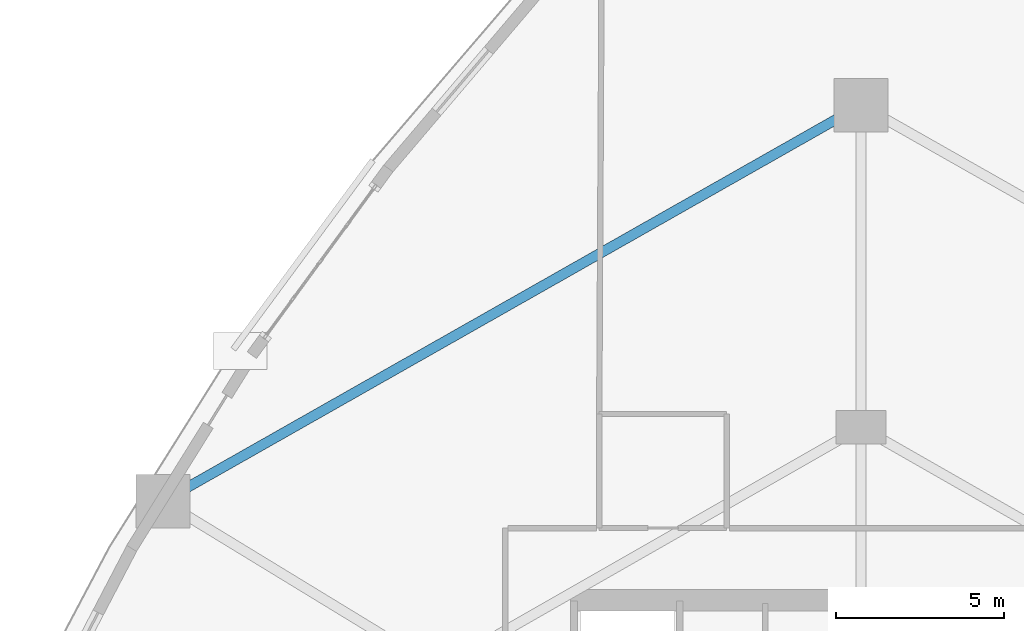
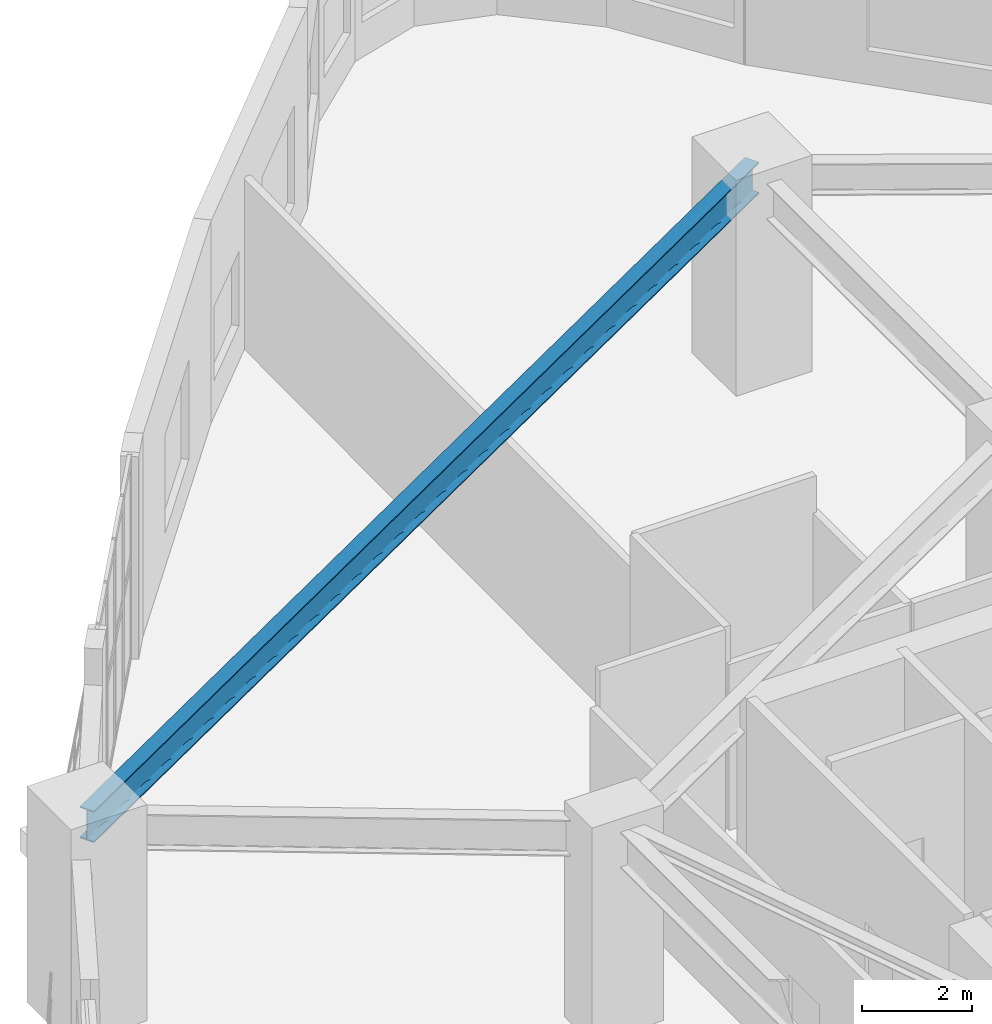
# One storey, part 9 of 23: 1 beam.
"""IFC4 building model written with IfcOpenShell, lengths in metres."""

from ifc_helpers import new_model, si_unit, direction, frame, origin, origin_2d, place, context, subcontext, project, spatial, i_section, extrude, material, material_profile, profile_set, type_object, element, save


model = new_model("IFC4")

# Units and contexts
model_context = context("Model", 3, precision=1e-05, world=origin(), true_north=direction((0.0, 1.0)))
body_context = subcontext(model_context, "Body", "Model", "MODEL_VIEW")
ifc_project = project(units=[si_unit("LENGTHUNIT", "METRE"), si_unit("AREAUNIT", "SQUARE_METRE"), si_unit("VOLUMEUNIT", "CUBIC_METRE"), si_unit("PLANEANGLEUNIT", "RADIAN"), si_unit("MASSUNIT", "GRAM", prefix="KILO")], contexts=[model_context])

# Site, building, storey
site_placement = place(None, origin())
site = spatial("IfcSite", under=ifc_project, at=site_placement, CompositionType="ELEMENT")
building_placement = place(site_placement, origin())
building = spatial("IfcBuilding", under=site, at=building_placement, Name="Miruveldt Soraemaru", CompositionType="ELEMENT")
storey_placement = place(building_placement, frame((0.0, 0.0, 14.39990234375)))
storey = spatial("IfcBuildingStorey", under=building, at=storey_placement, Name="L04", CompositionType="ELEMENT", Elevation=14.39990234375)

# Beam
ifc_material = material(Name="Steel SM355 (355 MPa)", Category="steel")
ifc_material_profile = material_profile(ifc_material, i_section(OverallWidth=0.300048828125, OverallDepth=0.699951171875, WebThickness=0.012939453125, FlangeThickness=0.02392578125, FilletRadius=0.028076171875, at=origin_2d()), Name="Steel SM355 (355 MPa)", Category="steel")
ifc_profile_set = profile_set([ifc_material_profile], Name="Steel SM355 (355 MPa)")
beam_type = type_object("IfcBeamType", Name="BM-ST-H700", PredefinedType="BEAM", material=ifc_profile_set)
beam_placement = place(storey_placement, frame((23.199951171875, 55.39990234375, 4.150146484375), z_axis=(0.869782551993, 0.493435215858, 0.0), x_axis=(-0.493435215858, 0.869782551993, 0.0)))
element("IfcBeam", 1, at=beam_placement, inside=storey, type_object=beam_type, Name="L04 Podium Ring Girder 6", PredefinedType="BEAM", context=body_context, shape_type="SweptSolid", body=[
    extrude(i_section(OverallWidth=0.300048828125, OverallDepth=0.699951171875, WebThickness=0.012939453125, FlangeThickness=0.02392578125, FilletRadius=0.028076171875, at=origin_2d()), origin(), (0.0, 0.0, 1.0), 23.9140625),
])

save(model, "model.ifc")
